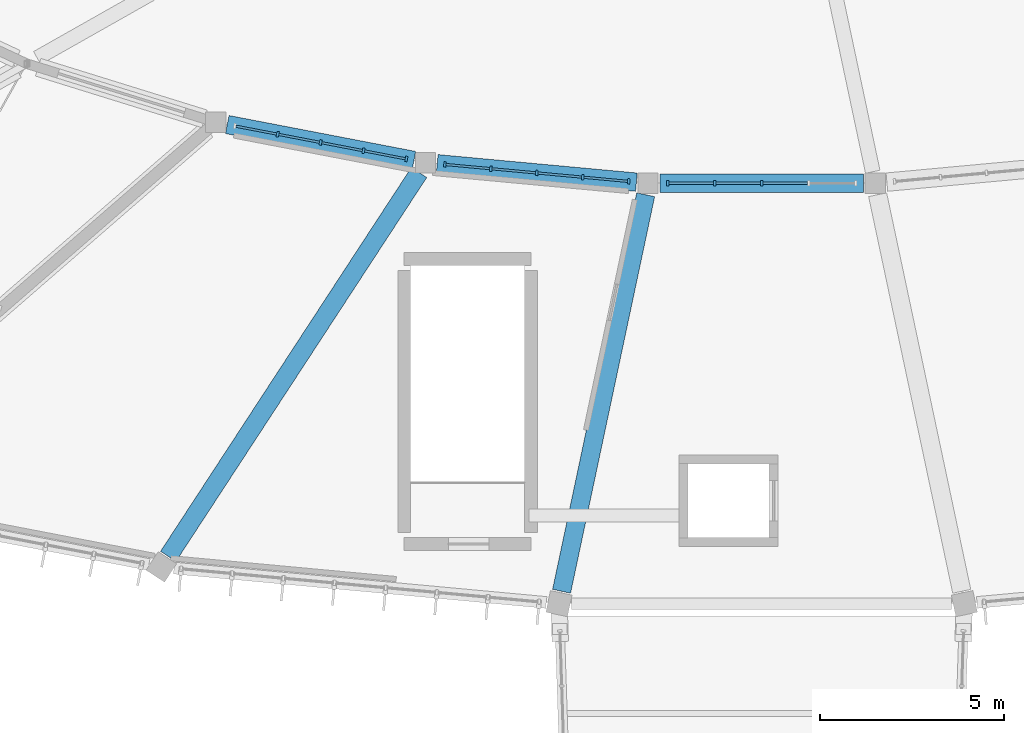
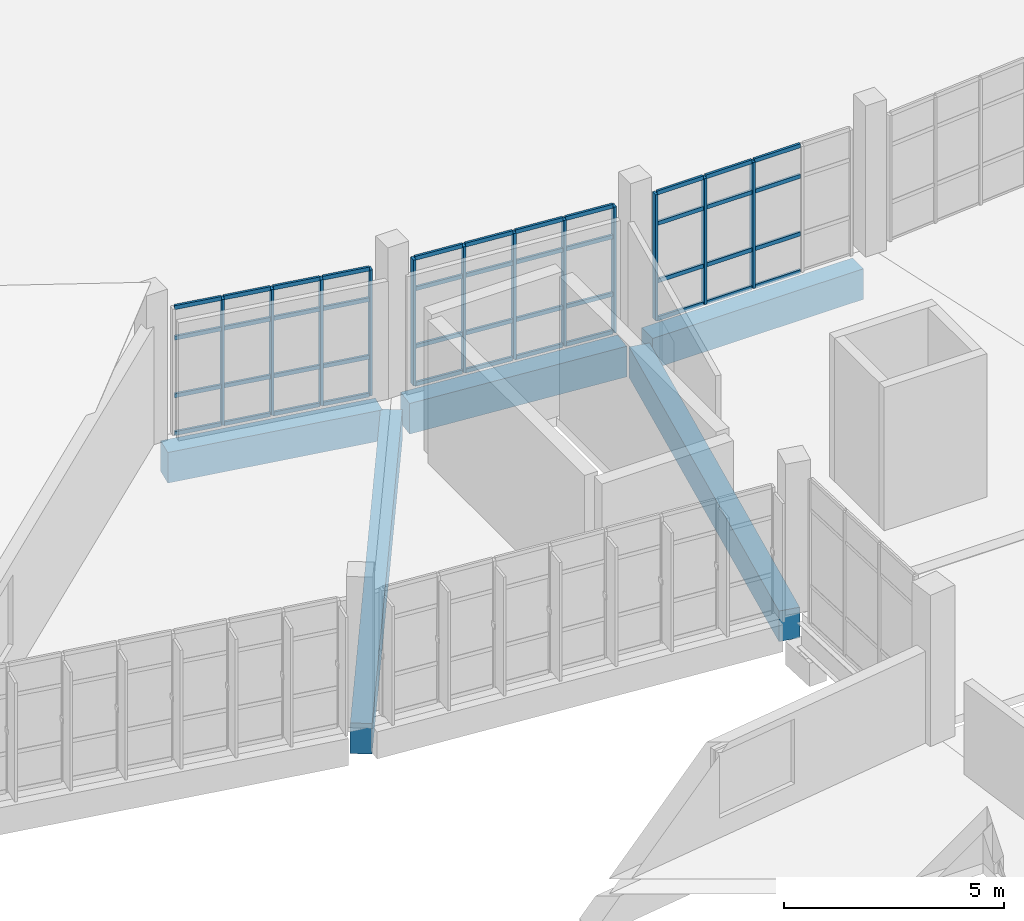
# One storey, part 39 of 142: 56 members, 5 beams, 3 elements without a shape of their own.
"""IFC4 building model written with IfcOpenShell, lengths in metres."""

from ifc_helpers import new_model, si_unit, direction, frame, origin, origin_2d, place, context, subcontext, project, spatial, rectangle, extrude, material, layer, layer_set, material_profile, profile_set, type_object, element, aggregate, save


model = new_model("IFC4")

# Units and contexts
model_context = context("Model", 3, precision=1e-05, world=origin(), true_north=direction((0.0, 1.0)))
body_context = subcontext(model_context, "Body", "Model", "MODEL_VIEW")
ifc_project = project(units=[si_unit("LENGTHUNIT", "METRE"), si_unit("AREAUNIT", "SQUARE_METRE"), si_unit("VOLUMEUNIT", "CUBIC_METRE"), si_unit("PLANEANGLEUNIT", "RADIAN"), si_unit("MASSUNIT", "GRAM", prefix="KILO")], contexts=[model_context])

# Site, building, storey
site_placement = place(None, origin())
site = spatial("IfcSite", under=ifc_project, at=site_placement, CompositionType="ELEMENT")
building_placement = place(site_placement, origin())
building = spatial("IfcBuilding", under=site, at=building_placement, Name="Corvandel Quay Wholesale Market", CompositionType="ELEMENT")
storey_placement = place(building_placement, frame((0.0, 0.0, 10.800048828125)))
storey = spatial("IfcBuildingStorey", under=building, at=storey_placement, Name="L02", CompositionType="ELEMENT", Elevation=10.800048828125)

# Curtain wall, members
ifc_material_1 = material(Name="Bronze anodised aluminium and low-E insulated glazing", Category="aluminium")
ifc_layer_1 = layer(ifc_material_1, 0.174072265625)
ifc_layer_set_1 = layer_set([ifc_layer_1], Name="Bronze anodised aluminium and low-E insulated glazing")
curtain_wall_type_1 = type_object("IfcCurtainWallType", Name="Stick Curtain Wall System CW07 H3630", PredefinedType="NOTDEFINED", material=ifc_layer_set_1)
curtain_wall_1_placement = place(storey_placement, origin())
curtain_wall_1 = element("IfcCurtainWall", 1, at=curtain_wall_1_placement, inside=storey, type_object=curtain_wall_type_1, Name="Curtain Wall CW-0111", PredefinedType="NOTDEFINED")
ifc_material_2 = material(Name="Anodised aluminium 6063-T6", Category="aluminium")
ifc_material_profile_1 = material_profile(ifc_material_2, rectangle(XDim=0.06494140625, YDim=0.14990234375, at=origin_2d()), Name="ALU-MUL-65x150")
ifc_profile_set_1 = profile_set([ifc_material_profile_1], Name="Anodised aluminium 6063-T6")
member_type_1 = type_object("IfcMemberType", Name="Curtain Wall Mullion ML02 65x150", PredefinedType="MULLION", material=ifc_profile_set_1)
member_1_placement = place(storey_placement, frame((100.832275390625, 102.772705078125, 0.0), z_axis=(0.0, 0.0, 1.0), x_axis=(-0.982024659632, 0.188752663223, 0.0)))
member_1 = element("IfcMember", 2, at=member_1_placement, type_object=member_type_1, Name="Mullion CW-0111-M01", PredefinedType="MULLION", context=body_context, shape_type="SweptSolid", body=[
    extrude(rectangle(XDim=0.06494140625, YDim=0.14990234375, at=origin_2d()), origin(), (0.0, 0.0, 1.0), 3.5),
])
member_2_placement = place(storey_placement, frame((101.9990234375, 102.548583984375, 0.0), z_axis=(0.0, 0.0, 1.0), x_axis=(-0.982024659632, 0.188752663223, 0.0)))
member_2 = element("IfcMember", 3, at=member_2_placement, type_object=member_type_1, Name="Mullion CW-0111-M02", PredefinedType="MULLION", context=body_context, shape_type="SweptSolid", body=[
    extrude(rectangle(XDim=0.06494140625, YDim=0.14990234375, at=origin_2d()), origin(), (0.0, 0.0, 1.0), 3.5),
])
member_3_placement = place(storey_placement, frame((103.165771484375, 102.32421875, 0.0), z_axis=(0.0, 0.0, 1.0), x_axis=(-0.982024659632, 0.188752663223, 0.0)))
member_3 = element("IfcMember", 4, at=member_3_placement, type_object=member_type_1, Name="Mullion CW-0111-M03", PredefinedType="MULLION", context=body_context, shape_type="SweptSolid", body=[
    extrude(rectangle(XDim=0.06494140625, YDim=0.14990234375, at=origin_2d()), origin(), (0.0, 0.0, 1.0), 3.5),
])
member_4_placement = place(storey_placement, frame((104.33251953125, 102.10009765625, 0.0), z_axis=(0.0, 0.0, 1.0), x_axis=(-0.982024659632, 0.188752663223, 0.0)))
member_4 = element("IfcMember", 5, at=member_4_placement, type_object=member_type_1, Name="Mullion CW-0111-M04", PredefinedType="MULLION", context=body_context, shape_type="SweptSolid", body=[
    extrude(rectangle(XDim=0.06494140625, YDim=0.14990234375, at=origin_2d()), origin(), (0.0, 0.0, 1.0), 3.5),
])

ifc_layer_2 = layer(ifc_material_1, 0.18603515625)
ifc_layer_set_2 = layer_set([ifc_layer_2], Name="Bronze anodised aluminium and low-E insulated glazing")
curtain_wall_type_2 = type_object("IfcCurtainWallType", Name="Stick Curtain Wall System CW08 H3720", PredefinedType="NOTDEFINED", material=ifc_layer_set_2)
curtain_wall_2_placement = place(storey_placement, origin())
curtain_wall_2 = element("IfcCurtainWall", 6, at=curtain_wall_2_placement, inside=storey, type_object=curtain_wall_type_2, Name="Curtain Wall CW-0114", PredefinedType="NOTDEFINED")
member_5_placement = place(storey_placement, frame((105.380615234375, 101.951171875, 0.0), z_axis=(0.0, 0.0, 1.0), x_axis=(-0.995756880939, 0.092023008338, 0.0)))
member_5 = element("IfcMember", 7, at=member_5_placement, type_object=member_type_1, Name="Mullion CW-0114-M00", PredefinedType="MULLION", context=body_context, shape_type="SweptSolid", body=[
    extrude(rectangle(XDim=0.06494140625, YDim=0.14990234375, at=origin_2d()), origin(), (0.0, 0.0, 1.0), 3.5),
])
member_6_placement = place(storey_placement, frame((106.63134765625, 101.835693359375, 0.0), z_axis=(0.0, 0.0, 1.0), x_axis=(-0.995756880939, 0.092023008338, 0.0)))
member_6 = element("IfcMember", 8, at=member_6_placement, type_object=member_type_1, Name="Mullion CW-0114-M01", PredefinedType="MULLION", context=body_context, shape_type="SweptSolid", body=[
    extrude(rectangle(XDim=0.06494140625, YDim=0.14990234375, at=origin_2d()), origin(), (0.0, 0.0, 1.0), 3.5),
])
member_7_placement = place(storey_placement, frame((107.882080078125, 101.719970703125, 0.0), z_axis=(0.0, 0.0, 1.0), x_axis=(-0.995756880939, 0.092023008338, 0.0)))
member_7 = element("IfcMember", 9, at=member_7_placement, type_object=member_type_1, Name="Mullion CW-0114-M02", PredefinedType="MULLION", context=body_context, shape_type="SweptSolid", body=[
    extrude(rectangle(XDim=0.06494140625, YDim=0.14990234375, at=origin_2d()), origin(), (0.0, 0.0, 1.0), 3.5),
])
member_8_placement = place(storey_placement, frame((109.1328125, 101.6044921875, 0.0), z_axis=(0.0, 0.0, 1.0), x_axis=(-0.995756880939, 0.092023008338, 0.0)))
member_8 = element("IfcMember", 10, at=member_8_placement, type_object=member_type_1, Name="Mullion CW-0114-M03", PredefinedType="MULLION", context=body_context, shape_type="SweptSolid", body=[
    extrude(rectangle(XDim=0.06494140625, YDim=0.14990234375, at=origin_2d()), origin(), (0.0, 0.0, 1.0), 3.5),
])
member_9_placement = place(storey_placement, frame((110.38330078125, 101.48876953125, 0.0), z_axis=(0.0, 0.0, 1.0), x_axis=(-0.995756880939, 0.092023008338, 0.0)))
member_9 = element("IfcMember", 11, at=member_9_placement, type_object=member_type_1, Name="Mullion CW-0114-M04", PredefinedType="MULLION", context=body_context, shape_type="SweptSolid", body=[
    extrude(rectangle(XDim=0.06494140625, YDim=0.14990234375, at=origin_2d()), origin(), (0.0, 0.0, 1.0), 3.5),
])

ifc_layer_3 = layer(ifc_material_1, 0.197998046875)
ifc_layer_set_3 = layer_set([ifc_layer_3], Name="Bronze anodised aluminium and low-E insulated glazing")
curtain_wall_type_3 = type_object("IfcCurtainWallType", Name="Stick Curtain Wall System CW09 H3810", PredefinedType="NOTDEFINED", material=ifc_layer_set_3)
curtain_wall_3_placement = place(storey_placement, origin())
curtain_wall_3 = element("IfcCurtainWall", 12, at=curtain_wall_3_placement, inside=storey, type_object=curtain_wall_type_3, Name="Curtain Wall CW-0115", PredefinedType="NOTDEFINED")
member_10_placement = place(storey_placement, frame((111.44091796875, 101.43994140625, 0.0), z_axis=(0.0, 0.0, 1.0), x_axis=(1.0, 0.0, 0.0)))
member_10 = element("IfcMember", 13, at=member_10_placement, type_object=member_type_1, Name="Mullion CW-0115-M00", PredefinedType="MULLION", context=body_context, shape_type="SweptSolid", body=[
    extrude(rectangle(XDim=0.06494140625, YDim=0.14990234375, at=origin_2d()), origin(), (0.0, 0.0, 1.0), 3.5),
])
member_11_placement = place(storey_placement, frame((112.720458984375, 101.43994140625, 0.0), z_axis=(0.0, 0.0, 1.0), x_axis=(1.0, 0.0, 0.0)))
member_11 = element("IfcMember", 14, at=member_11_placement, type_object=member_type_1, Name="Mullion CW-0115-M01", PredefinedType="MULLION", context=body_context, shape_type="SweptSolid", body=[
    extrude(rectangle(XDim=0.06494140625, YDim=0.14990234375, at=origin_2d()), origin(), (0.0, 0.0, 1.0), 3.5),
])
member_12_placement = place(storey_placement, frame((114.0, 101.43994140625, 0.0), z_axis=(0.0, 0.0, 1.0), x_axis=(1.0, 0.0, 0.0)))
member_12 = element("IfcMember", 15, at=member_12_placement, type_object=member_type_1, Name="Mullion CW-0115-M02", PredefinedType="MULLION", context=body_context, shape_type="SweptSolid", body=[
    extrude(rectangle(XDim=0.06494140625, YDim=0.14990234375, at=origin_2d()), origin(), (0.0, 0.0, 1.0), 3.5),
])

# Member
ifc_material_profile_2 = material_profile(ifc_material_2, rectangle(XDim=0.06005859375, YDim=0.110107421875, at=origin_2d()), Name="ALU-TRN-60x110")
ifc_profile_set_2 = profile_set([ifc_material_profile_2], Name="Anodised aluminium 6063-T6")
member_type_2 = type_object("IfcMemberType", Name="Curtain Wall Transom TR02 60x110", PredefinedType="USERDEFINED", material=ifc_profile_set_2)
member_13_placement = place(storey_placement, frame((99.697509765625, 102.99072265625, 0.0), z_axis=(0.982032799319, -0.188710309898, 0.0), x_axis=(0.188710309898, 0.982032799319, 0.0)))
member_13 = element("IfcMember", 16, at=member_13_placement, type_object=member_type_2, Name="Transom CW-0111-T00-0", ObjectType="TRANSOM", PredefinedType="USERDEFINED", context=body_context, shape_type="SweptSolid", body=[
    extrude(rectangle(XDim=0.06005859375, YDim=0.110107421875, at=origin_2d()), origin(), (0.0, 0.0, 1.0), 1.123046875),
])

member_14_placement = place(storey_placement, frame((99.697509765625, 102.99072265625, 1.050048828125), z_axis=(0.982032799319, -0.188710309898, 0.0), x_axis=(0.188710309898, 0.982032799319, 0.0)))
member_14 = element("IfcMember", 17, at=member_14_placement, type_object=member_type_2, Name="Transom CW-0111-T00-1", ObjectType="TRANSOM", PredefinedType="USERDEFINED", context=body_context, shape_type="SweptSolid", body=[
    extrude(rectangle(XDim=0.06005859375, YDim=0.110107421875, at=origin_2d()), origin(), (0.0, 0.0, 1.0), 1.123046875),
])

member_15_placement = place(storey_placement, frame((99.697509765625, 102.99072265625, 2.64990234375), z_axis=(0.982032799319, -0.188710309898, 0.0), x_axis=(0.188710309898, 0.982032799319, 0.0)))
member_15 = element("IfcMember", 18, at=member_15_placement, type_object=member_type_2, Name="Transom CW-0111-T00-2", ObjectType="TRANSOM", PredefinedType="USERDEFINED", context=body_context, shape_type="SweptSolid", body=[
    extrude(rectangle(XDim=0.06005859375, YDim=0.110107421875, at=origin_2d()), origin(), (0.0, 0.0, 1.0), 1.123046875),
])

member_16_placement = place(storey_placement, frame((99.697509765625, 102.99072265625, 3.5), z_axis=(0.982032799319, -0.188710309898, 0.0), x_axis=(0.188710309898, 0.982032799319, 0.0)))
member_16 = element("IfcMember", 19, at=member_16_placement, type_object=member_type_2, Name="Transom CW-0111-T00-3", ObjectType="TRANSOM", PredefinedType="USERDEFINED", context=body_context, shape_type="SweptSolid", body=[
    extrude(rectangle(XDim=0.06005859375, YDim=0.110107421875, at=origin_2d()), origin(), (0.0, 0.0, 1.0), 1.123046875),
])

member_17_placement = place(storey_placement, frame((100.8642578125, 102.7666015625, 0.0), z_axis=(0.982032799319, -0.188710309898, 0.0), x_axis=(0.188710309898, 0.982032799319, 0.0)))
member_17 = element("IfcMember", 20, at=member_17_placement, type_object=member_type_2, Name="Transom CW-0111-T01-0", ObjectType="TRANSOM", PredefinedType="USERDEFINED", context=body_context, shape_type="SweptSolid", body=[
    extrude(rectangle(XDim=0.06005859375, YDim=0.110107421875, at=origin_2d()), origin(), (0.0, 0.0, 1.0), 1.123046875),
])

member_18_placement = place(storey_placement, frame((100.8642578125, 102.7666015625, 1.050048828125), z_axis=(0.982032799319, -0.188710309898, 0.0), x_axis=(0.188710309898, 0.982032799319, 0.0)))
member_18 = element("IfcMember", 21, at=member_18_placement, type_object=member_type_2, Name="Transom CW-0111-T01-1", ObjectType="TRANSOM", PredefinedType="USERDEFINED", context=body_context, shape_type="SweptSolid", body=[
    extrude(rectangle(XDim=0.06005859375, YDim=0.110107421875, at=origin_2d()), origin(), (0.0, 0.0, 1.0), 1.123046875),
])

member_19_placement = place(storey_placement, frame((100.8642578125, 102.7666015625, 2.64990234375), z_axis=(0.982032799319, -0.188710309898, 0.0), x_axis=(0.188710309898, 0.982032799319, 0.0)))
member_19 = element("IfcMember", 22, at=member_19_placement, type_object=member_type_2, Name="Transom CW-0111-T01-2", ObjectType="TRANSOM", PredefinedType="USERDEFINED", context=body_context, shape_type="SweptSolid", body=[
    extrude(rectangle(XDim=0.06005859375, YDim=0.110107421875, at=origin_2d()), origin(), (0.0, 0.0, 1.0), 1.123046875),
])

member_20_placement = place(storey_placement, frame((100.8642578125, 102.7666015625, 3.5), z_axis=(0.982032799319, -0.188710309898, 0.0), x_axis=(0.188710309898, 0.982032799319, 0.0)))
member_20 = element("IfcMember", 23, at=member_20_placement, type_object=member_type_2, Name="Transom CW-0111-T01-3", ObjectType="TRANSOM", PredefinedType="USERDEFINED", context=body_context, shape_type="SweptSolid", body=[
    extrude(rectangle(XDim=0.06005859375, YDim=0.110107421875, at=origin_2d()), origin(), (0.0, 0.0, 1.0), 1.123046875),
])

member_21_placement = place(storey_placement, frame((102.031005859375, 102.54248046875, 0.0), z_axis=(0.981992488569, -0.188919962933, 0.0), x_axis=(0.188919962933, 0.981992488569, 0.0)))
member_21 = element("IfcMember", 24, at=member_21_placement, type_object=member_type_2, Name="Transom CW-0111-T02-0", ObjectType="TRANSOM", PredefinedType="USERDEFINED", context=body_context, shape_type="SweptSolid", body=[
    extrude(rectangle(XDim=0.06005859375, YDim=0.110107421875, at=origin_2d()), origin(), (0.0, 0.0, 1.0), 1.123046875),
])

member_22_placement = place(storey_placement, frame((102.031005859375, 102.54248046875, 1.050048828125), z_axis=(0.981992488569, -0.188919962933, 0.0), x_axis=(0.188919962933, 0.981992488569, 0.0)))
member_22 = element("IfcMember", 25, at=member_22_placement, type_object=member_type_2, Name="Transom CW-0111-T02-1", ObjectType="TRANSOM", PredefinedType="USERDEFINED", context=body_context, shape_type="SweptSolid", body=[
    extrude(rectangle(XDim=0.06005859375, YDim=0.110107421875, at=origin_2d()), origin(), (0.0, 0.0, 1.0), 1.123046875),
])

member_23_placement = place(storey_placement, frame((102.031005859375, 102.54248046875, 2.64990234375), z_axis=(0.981992488569, -0.188919962933, 0.0), x_axis=(0.188919962933, 0.981992488569, 0.0)))
member_23 = element("IfcMember", 26, at=member_23_placement, type_object=member_type_2, Name="Transom CW-0111-T02-2", ObjectType="TRANSOM", PredefinedType="USERDEFINED", context=body_context, shape_type="SweptSolid", body=[
    extrude(rectangle(XDim=0.06005859375, YDim=0.110107421875, at=origin_2d()), origin(), (0.0, 0.0, 1.0), 1.123046875),
])

member_24_placement = place(storey_placement, frame((102.031005859375, 102.54248046875, 3.5), z_axis=(0.981992488569, -0.188919962933, 0.0), x_axis=(0.188919962933, 0.981992488569, 0.0)))
member_24 = element("IfcMember", 27, at=member_24_placement, type_object=member_type_2, Name="Transom CW-0111-T02-3", ObjectType="TRANSOM", PredefinedType="USERDEFINED", context=body_context, shape_type="SweptSolid", body=[
    extrude(rectangle(XDim=0.06005859375, YDim=0.110107421875, at=origin_2d()), origin(), (0.0, 0.0, 1.0), 1.123046875),
])

member_25_placement = place(storey_placement, frame((103.19775390625, 102.318115234375, 0.0), z_axis=(0.982032799319, -0.188710309898, 0.0), x_axis=(0.188710309898, 0.982032799319, 0.0)))
member_25 = element("IfcMember", 28, at=member_25_placement, type_object=member_type_2, Name="Transom CW-0111-T03-0", ObjectType="TRANSOM", PredefinedType="USERDEFINED", context=body_context, shape_type="SweptSolid", body=[
    extrude(rectangle(XDim=0.06005859375, YDim=0.110107421875, at=origin_2d()), origin(), (0.0, 0.0, 1.0), 1.123046875),
])

member_26_placement = place(storey_placement, frame((103.19775390625, 102.318115234375, 1.050048828125), z_axis=(0.982032799319, -0.188710309898, 0.0), x_axis=(0.188710309898, 0.982032799319, 0.0)))
member_26 = element("IfcMember", 29, at=member_26_placement, type_object=member_type_2, Name="Transom CW-0111-T03-1", ObjectType="TRANSOM", PredefinedType="USERDEFINED", context=body_context, shape_type="SweptSolid", body=[
    extrude(rectangle(XDim=0.06005859375, YDim=0.110107421875, at=origin_2d()), origin(), (0.0, 0.0, 1.0), 1.123046875),
])

member_27_placement = place(storey_placement, frame((103.19775390625, 102.318115234375, 2.64990234375), z_axis=(0.982032799319, -0.188710309898, 0.0), x_axis=(0.188710309898, 0.982032799319, 0.0)))
member_27 = element("IfcMember", 30, at=member_27_placement, type_object=member_type_2, Name="Transom CW-0111-T03-2", ObjectType="TRANSOM", PredefinedType="USERDEFINED", context=body_context, shape_type="SweptSolid", body=[
    extrude(rectangle(XDim=0.06005859375, YDim=0.110107421875, at=origin_2d()), origin(), (0.0, 0.0, 1.0), 1.123046875),
])

member_28_placement = place(storey_placement, frame((103.19775390625, 102.318115234375, 3.5), z_axis=(0.982032799319, -0.188710309898, 0.0), x_axis=(0.188710309898, 0.982032799319, 0.0)))
member_28 = element("IfcMember", 31, at=member_28_placement, type_object=member_type_2, Name="Transom CW-0111-T03-3", ObjectType="TRANSOM", PredefinedType="USERDEFINED", context=body_context, shape_type="SweptSolid", body=[
    extrude(rectangle(XDim=0.06005859375, YDim=0.110107421875, at=origin_2d()), origin(), (0.0, 0.0, 1.0), 1.123046875),
])

aggregate(curtain_wall_1, [member_1, member_2, member_3, member_4, member_13, member_14, member_15, member_16, member_17, member_18, member_19, member_20, member_21, member_22, member_23, member_24, member_25, member_26, member_27, member_28])

member_29_placement = place(storey_placement, frame((105.4130859375, 101.9482421875, 0.0), z_axis=(0.995755993143, -0.092032614434, 0.0), x_axis=(0.092032614434, 0.995755993143, 0.0)))
member_29 = element("IfcMember", 32, at=member_29_placement, type_object=member_type_2, Name="Transom CW-0114-T00-0", ObjectType="TRANSOM", PredefinedType="USERDEFINED", context=body_context, shape_type="SweptSolid", body=[
    extrude(rectangle(XDim=0.06005859375, YDim=0.110107421875, at=origin_2d()), origin(), (0.0, 0.0, 1.0), 1.191162109375),
])

member_30_placement = place(storey_placement, frame((105.4130859375, 101.9482421875, 1.050048828125), z_axis=(0.995755993143, -0.092032614434, 0.0), x_axis=(0.092032614434, 0.995755993143, 0.0)))
member_30 = element("IfcMember", 33, at=member_30_placement, type_object=member_type_2, Name="Transom CW-0114-T00-1", ObjectType="TRANSOM", PredefinedType="USERDEFINED", context=body_context, shape_type="SweptSolid", body=[
    extrude(rectangle(XDim=0.06005859375, YDim=0.110107421875, at=origin_2d()), origin(), (0.0, 0.0, 1.0), 1.191162109375),
])

member_31_placement = place(storey_placement, frame((105.4130859375, 101.9482421875, 2.64990234375), z_axis=(0.995755993143, -0.092032614434, 0.0), x_axis=(0.092032614434, 0.995755993143, 0.0)))
member_31 = element("IfcMember", 34, at=member_31_placement, type_object=member_type_2, Name="Transom CW-0114-T00-2", ObjectType="TRANSOM", PredefinedType="USERDEFINED", context=body_context, shape_type="SweptSolid", body=[
    extrude(rectangle(XDim=0.06005859375, YDim=0.110107421875, at=origin_2d()), origin(), (0.0, 0.0, 1.0), 1.191162109375),
])

member_32_placement = place(storey_placement, frame((105.4130859375, 101.9482421875, 3.5), z_axis=(0.995755993143, -0.092032614434, 0.0), x_axis=(0.092032614434, 0.995755993143, 0.0)))
member_32 = element("IfcMember", 35, at=member_32_placement, type_object=member_type_2, Name="Transom CW-0114-T00-3", ObjectType="TRANSOM", PredefinedType="USERDEFINED", context=body_context, shape_type="SweptSolid", body=[
    extrude(rectangle(XDim=0.06005859375, YDim=0.110107421875, at=origin_2d()), origin(), (0.0, 0.0, 1.0), 1.191162109375),
])

member_33_placement = place(storey_placement, frame((106.663818359375, 101.83251953125, 0.0), z_axis=(0.995754256495, -0.09205140234, 0.0), x_axis=(0.09205140234, 0.995754256495, 0.0)))
member_33 = element("IfcMember", 36, at=member_33_placement, type_object=member_type_2, Name="Transom CW-0114-T01-0", ObjectType="TRANSOM", PredefinedType="USERDEFINED", context=body_context, shape_type="SweptSolid", body=[
    extrude(rectangle(XDim=0.06005859375, YDim=0.110107421875, at=origin_2d()), origin(), (0.0, 0.0, 1.0), 1.19091796875),
])

member_34_placement = place(storey_placement, frame((106.663818359375, 101.83251953125, 1.050048828125), z_axis=(0.995754256495, -0.09205140234, 0.0), x_axis=(0.09205140234, 0.995754256495, 0.0)))
member_34 = element("IfcMember", 37, at=member_34_placement, type_object=member_type_2, Name="Transom CW-0114-T01-1", ObjectType="TRANSOM", PredefinedType="USERDEFINED", context=body_context, shape_type="SweptSolid", body=[
    extrude(rectangle(XDim=0.06005859375, YDim=0.110107421875, at=origin_2d()), origin(), (0.0, 0.0, 1.0), 1.19091796875),
])

member_35_placement = place(storey_placement, frame((106.663818359375, 101.83251953125, 2.64990234375), z_axis=(0.995754256495, -0.09205140234, 0.0), x_axis=(0.09205140234, 0.995754256495, 0.0)))
member_35 = element("IfcMember", 38, at=member_35_placement, type_object=member_type_2, Name="Transom CW-0114-T01-2", ObjectType="TRANSOM", PredefinedType="USERDEFINED", context=body_context, shape_type="SweptSolid", body=[
    extrude(rectangle(XDim=0.06005859375, YDim=0.110107421875, at=origin_2d()), origin(), (0.0, 0.0, 1.0), 1.19091796875),
])

member_36_placement = place(storey_placement, frame((106.663818359375, 101.83251953125, 3.5), z_axis=(0.995754256495, -0.09205140234, 0.0), x_axis=(0.09205140234, 0.995754256495, 0.0)))
member_36 = element("IfcMember", 39, at=member_36_placement, type_object=member_type_2, Name="Transom CW-0114-T01-3", ObjectType="TRANSOM", PredefinedType="USERDEFINED", context=body_context, shape_type="SweptSolid", body=[
    extrude(rectangle(XDim=0.06005859375, YDim=0.110107421875, at=origin_2d()), origin(), (0.0, 0.0, 1.0), 1.19091796875),
])

member_37_placement = place(storey_placement, frame((107.914306640625, 101.717041015625, 0.0), z_axis=(0.995755993143, -0.092032614434, 0.0), x_axis=(0.092032614434, 0.995755993143, 0.0)))
member_37 = element("IfcMember", 40, at=member_37_placement, type_object=member_type_2, Name="Transom CW-0114-T02-0", ObjectType="TRANSOM", PredefinedType="USERDEFINED", context=body_context, shape_type="SweptSolid", body=[
    extrude(rectangle(XDim=0.06005859375, YDim=0.110107421875, at=origin_2d()), origin(), (0.0, 0.0, 1.0), 1.191162109375),
])

member_38_placement = place(storey_placement, frame((107.914306640625, 101.717041015625, 1.050048828125), z_axis=(0.995755993143, -0.092032614434, 0.0), x_axis=(0.092032614434, 0.995755993143, 0.0)))
member_38 = element("IfcMember", 41, at=member_38_placement, type_object=member_type_2, Name="Transom CW-0114-T02-1", ObjectType="TRANSOM", PredefinedType="USERDEFINED", context=body_context, shape_type="SweptSolid", body=[
    extrude(rectangle(XDim=0.06005859375, YDim=0.110107421875, at=origin_2d()), origin(), (0.0, 0.0, 1.0), 1.191162109375),
])

member_39_placement = place(storey_placement, frame((107.914306640625, 101.717041015625, 2.64990234375), z_axis=(0.995755993143, -0.092032614434, 0.0), x_axis=(0.092032614434, 0.995755993143, 0.0)))
member_39 = element("IfcMember", 42, at=member_39_placement, type_object=member_type_2, Name="Transom CW-0114-T02-2", ObjectType="TRANSOM", PredefinedType="USERDEFINED", context=body_context, shape_type="SweptSolid", body=[
    extrude(rectangle(XDim=0.06005859375, YDim=0.110107421875, at=origin_2d()), origin(), (0.0, 0.0, 1.0), 1.191162109375),
])

member_40_placement = place(storey_placement, frame((107.914306640625, 101.717041015625, 3.5), z_axis=(0.995755993143, -0.092032614434, 0.0), x_axis=(0.092032614434, 0.995755993143, 0.0)))
member_40 = element("IfcMember", 43, at=member_40_placement, type_object=member_type_2, Name="Transom CW-0114-T02-3", ObjectType="TRANSOM", PredefinedType="USERDEFINED", context=body_context, shape_type="SweptSolid", body=[
    extrude(rectangle(XDim=0.06005859375, YDim=0.110107421875, at=origin_2d()), origin(), (0.0, 0.0, 1.0), 1.191162109375),
])

member_41_placement = place(storey_placement, frame((109.1650390625, 101.601318359375, 0.0), z_axis=(0.995754256495, -0.09205140234, 0.0), x_axis=(0.09205140234, 0.995754256495, 0.0)))
member_41 = element("IfcMember", 44, at=member_41_placement, type_object=member_type_2, Name="Transom CW-0114-T03-0", ObjectType="TRANSOM", PredefinedType="USERDEFINED", context=body_context, shape_type="SweptSolid", body=[
    extrude(rectangle(XDim=0.06005859375, YDim=0.110107421875, at=origin_2d()), origin(), (0.0, 0.0, 1.0), 1.19091796875),
])

member_42_placement = place(storey_placement, frame((109.1650390625, 101.601318359375, 1.050048828125), z_axis=(0.995754256495, -0.09205140234, 0.0), x_axis=(0.09205140234, 0.995754256495, 0.0)))
member_42 = element("IfcMember", 45, at=member_42_placement, type_object=member_type_2, Name="Transom CW-0114-T03-1", ObjectType="TRANSOM", PredefinedType="USERDEFINED", context=body_context, shape_type="SweptSolid", body=[
    extrude(rectangle(XDim=0.06005859375, YDim=0.110107421875, at=origin_2d()), origin(), (0.0, 0.0, 1.0), 1.19091796875),
])

member_43_placement = place(storey_placement, frame((109.1650390625, 101.601318359375, 2.64990234375), z_axis=(0.995754256495, -0.09205140234, 0.0), x_axis=(0.09205140234, 0.995754256495, 0.0)))
member_43 = element("IfcMember", 46, at=member_43_placement, type_object=member_type_2, Name="Transom CW-0114-T03-2", ObjectType="TRANSOM", PredefinedType="USERDEFINED", context=body_context, shape_type="SweptSolid", body=[
    extrude(rectangle(XDim=0.06005859375, YDim=0.110107421875, at=origin_2d()), origin(), (0.0, 0.0, 1.0), 1.19091796875),
])

member_44_placement = place(storey_placement, frame((109.1650390625, 101.601318359375, 3.5), z_axis=(0.995754256495, -0.09205140234, 0.0), x_axis=(0.09205140234, 0.995754256495, 0.0)))
member_44 = element("IfcMember", 47, at=member_44_placement, type_object=member_type_2, Name="Transom CW-0114-T03-3", ObjectType="TRANSOM", PredefinedType="USERDEFINED", context=body_context, shape_type="SweptSolid", body=[
    extrude(rectangle(XDim=0.06005859375, YDim=0.110107421875, at=origin_2d()), origin(), (0.0, 0.0, 1.0), 1.19091796875),
])

aggregate(curtain_wall_2, [member_5, member_6, member_7, member_8, member_9, member_29, member_30, member_31, member_32, member_33, member_34, member_35, member_36, member_37, member_38, member_39, member_40, member_41, member_42, member_43, member_44])

member_45_placement = place(storey_placement, frame((111.473388671875, 101.43994140625, 0.0), z_axis=(1.0, 0.0, 0.0), x_axis=(0.0, 1.0, 0.0)))
member_45 = element("IfcMember", 48, at=member_45_placement, type_object=member_type_2, Name="Transom CW-0115-T00-0", ObjectType="TRANSOM", PredefinedType="USERDEFINED", context=body_context, shape_type="SweptSolid", body=[
    extrude(rectangle(XDim=0.06005859375, YDim=0.110107421875, at=origin_2d()), origin(), (0.0, 0.0, 1.0), 1.214599609375),
])

member_46_placement = place(storey_placement, frame((111.473388671875, 101.43994140625, 1.050048828125), z_axis=(1.0, 0.0, 0.0), x_axis=(0.0, 1.0, 0.0)))
member_46 = element("IfcMember", 49, at=member_46_placement, type_object=member_type_2, Name="Transom CW-0115-T00-1", ObjectType="TRANSOM", PredefinedType="USERDEFINED", context=body_context, shape_type="SweptSolid", body=[
    extrude(rectangle(XDim=0.06005859375, YDim=0.110107421875, at=origin_2d()), origin(), (0.0, 0.0, 1.0), 1.214599609375),
])

member_47_placement = place(storey_placement, frame((111.473388671875, 101.43994140625, 2.64990234375), z_axis=(1.0, 0.0, 0.0), x_axis=(0.0, 1.0, 0.0)))
member_47 = element("IfcMember", 50, at=member_47_placement, type_object=member_type_2, Name="Transom CW-0115-T00-2", ObjectType="TRANSOM", PredefinedType="USERDEFINED", context=body_context, shape_type="SweptSolid", body=[
    extrude(rectangle(XDim=0.06005859375, YDim=0.110107421875, at=origin_2d()), origin(), (0.0, 0.0, 1.0), 1.214599609375),
])

member_48_placement = place(storey_placement, frame((111.473388671875, 101.43994140625, 3.5), z_axis=(1.0, 0.0, 0.0), x_axis=(0.0, 1.0, 0.0)))
member_48 = element("IfcMember", 51, at=member_48_placement, type_object=member_type_2, Name="Transom CW-0115-T00-3", ObjectType="TRANSOM", PredefinedType="USERDEFINED", context=body_context, shape_type="SweptSolid", body=[
    extrude(rectangle(XDim=0.06005859375, YDim=0.110107421875, at=origin_2d()), origin(), (0.0, 0.0, 1.0), 1.214599609375),
])

member_49_placement = place(storey_placement, frame((112.7529296875, 101.43994140625, 0.0), z_axis=(1.0, 0.0, 0.0), x_axis=(0.0, 1.0, 0.0)))
member_49 = element("IfcMember", 52, at=member_49_placement, type_object=member_type_2, Name="Transom CW-0115-T01-0", ObjectType="TRANSOM", PredefinedType="USERDEFINED", context=body_context, shape_type="SweptSolid", body=[
    extrude(rectangle(XDim=0.06005859375, YDim=0.110107421875, at=origin_2d()), origin(), (0.0, 0.0, 1.0), 1.214599609375),
])

member_50_placement = place(storey_placement, frame((112.7529296875, 101.43994140625, 1.050048828125), z_axis=(1.0, 0.0, 0.0), x_axis=(0.0, 1.0, 0.0)))
member_50 = element("IfcMember", 53, at=member_50_placement, type_object=member_type_2, Name="Transom CW-0115-T01-1", ObjectType="TRANSOM", PredefinedType="USERDEFINED", context=body_context, shape_type="SweptSolid", body=[
    extrude(rectangle(XDim=0.06005859375, YDim=0.110107421875, at=origin_2d()), origin(), (0.0, 0.0, 1.0), 1.214599609375),
])

member_51_placement = place(storey_placement, frame((112.7529296875, 101.43994140625, 2.64990234375), z_axis=(1.0, 0.0, 0.0), x_axis=(0.0, 1.0, 0.0)))
member_51 = element("IfcMember", 54, at=member_51_placement, type_object=member_type_2, Name="Transom CW-0115-T01-2", ObjectType="TRANSOM", PredefinedType="USERDEFINED", context=body_context, shape_type="SweptSolid", body=[
    extrude(rectangle(XDim=0.06005859375, YDim=0.110107421875, at=origin_2d()), origin(), (0.0, 0.0, 1.0), 1.214599609375),
])

member_52_placement = place(storey_placement, frame((112.7529296875, 101.43994140625, 3.5), z_axis=(1.0, 0.0, 0.0), x_axis=(0.0, 1.0, 0.0)))
member_52 = element("IfcMember", 55, at=member_52_placement, type_object=member_type_2, Name="Transom CW-0115-T01-3", ObjectType="TRANSOM", PredefinedType="USERDEFINED", context=body_context, shape_type="SweptSolid", body=[
    extrude(rectangle(XDim=0.06005859375, YDim=0.110107421875, at=origin_2d()), origin(), (0.0, 0.0, 1.0), 1.214599609375),
])

member_53_placement = place(storey_placement, frame((114.032470703125, 101.43994140625, 0.0), z_axis=(1.0, 0.0, 0.0), x_axis=(0.0, 1.0, 0.0)))
member_53 = element("IfcMember", 56, at=member_53_placement, type_object=member_type_2, Name="Transom CW-0115-T02-0", ObjectType="TRANSOM", PredefinedType="USERDEFINED", context=body_context, shape_type="SweptSolid", body=[
    extrude(rectangle(XDim=0.06005859375, YDim=0.110107421875, at=origin_2d()), origin(), (0.0, 0.0, 1.0), 1.214599609375),
])

member_54_placement = place(storey_placement, frame((114.032470703125, 101.43994140625, 1.050048828125), z_axis=(1.0, 0.0, 0.0), x_axis=(0.0, 1.0, 0.0)))
member_54 = element("IfcMember", 57, at=member_54_placement, type_object=member_type_2, Name="Transom CW-0115-T02-1", ObjectType="TRANSOM", PredefinedType="USERDEFINED", context=body_context, shape_type="SweptSolid", body=[
    extrude(rectangle(XDim=0.06005859375, YDim=0.110107421875, at=origin_2d()), origin(), (0.0, 0.0, 1.0), 1.214599609375),
])

member_55_placement = place(storey_placement, frame((114.032470703125, 101.43994140625, 2.64990234375), z_axis=(1.0, 0.0, 0.0), x_axis=(0.0, 1.0, 0.0)))
member_55 = element("IfcMember", 58, at=member_55_placement, type_object=member_type_2, Name="Transom CW-0115-T02-2", ObjectType="TRANSOM", PredefinedType="USERDEFINED", context=body_context, shape_type="SweptSolid", body=[
    extrude(rectangle(XDim=0.06005859375, YDim=0.110107421875, at=origin_2d()), origin(), (0.0, 0.0, 1.0), 1.214599609375),
])

member_56_placement = place(storey_placement, frame((114.032470703125, 101.43994140625, 3.5), z_axis=(1.0, 0.0, 0.0), x_axis=(0.0, 1.0, 0.0)))
member_56 = element("IfcMember", 59, at=member_56_placement, type_object=member_type_2, Name="Transom CW-0115-T02-3", ObjectType="TRANSOM", PredefinedType="USERDEFINED", context=body_context, shape_type="SweptSolid", body=[
    extrude(rectangle(XDim=0.06005859375, YDim=0.110107421875, at=origin_2d()), origin(), (0.0, 0.0, 1.0), 1.214599609375),
])

aggregate(curtain_wall_3, [member_10, member_11, member_12, member_45, member_46, member_47, member_48, member_49, member_50, member_51, member_52, member_53, member_54, member_55, member_56])

# Beams
ifc_material_3 = material(Name="Precast concrete C45/55", Category="concrete")
ifc_material_profile_3 = material_profile(ifc_material_3, rectangle(XDim=0.5, YDim=0.85009765625, at=origin_2d()), Name="PC-GIR-500x850")
ifc_profile_set_3 = profile_set([ifc_material_profile_3], Name="Precast concrete C45/55")
beam_type = type_object("IfcBeamType", Name="Fish Hall Radial Girder G04 500x850", PredefinedType="USERDEFINED", material=ifc_profile_set_3)
beam_1_placement = place(storey_placement, frame((99.459228515625, 103.03662109375, -0.7451171875), z_axis=(0.982025294811, -0.188749358548, 0.0), x_axis=(0.188749358548, 0.982025294811, 0.0)))
element("IfcBeam", 60, at=beam_1_placement, inside=storey, type_object=beam_type, Name="Beam BM-0672", ObjectType="GIRDER", PredefinedType="USERDEFINED", context=body_context, shape_type="SweptSolid", body=[
    extrude(rectangle(XDim=0.5, YDim=0.85009765625, at=origin_2d()), origin(), (0.0, 0.0, 1.0), 5.172607421875),
])
beam_2_placement = place(storey_placement, frame((105.171630859375, 101.970458984375, -0.7451171875), z_axis=(0.995756442366, -0.092027753895, 0.0), x_axis=(0.092027753895, 0.995756442366, 0.0)))
element("IfcBeam", 61, at=beam_2_placement, inside=storey, type_object=beam_type, Name="Beam BM-0681", ObjectType="GIRDER", PredefinedType="USERDEFINED", context=body_context, shape_type="SweptSolid", body=[
    extrude(rectangle(XDim=0.5, YDim=0.85009765625, at=origin_2d()), origin(), (0.0, 0.0, 1.0), 5.44384765625),
])
beam_3_placement = place(storey_placement, frame((97.853759765625, 91.287841796875, -0.7451171875), z_axis=(0.546981498626, 0.837144694877, 0.0), x_axis=(-0.837144694877, 0.546981498626, 0.0)))
element("IfcBeam", 62, at=beam_3_placement, inside=storey, type_object=beam_type, Name="Beam BM-0682", ObjectType="GIRDER", PredefinedType="USERDEFINED", context=body_context, shape_type="SweptSolid", body=[
    extrude(rectangle(XDim=0.5, YDim=0.85009765625, at=origin_2d()), origin(), (0.0, 0.0, 1.0), 12.47607421875),
])
beam_4_placement = place(storey_placement, frame((111.23095703125, 101.43994140625, -0.7451171875), z_axis=(1.0, 0.0, 0.0), x_axis=(0.0, 1.0, 0.0)))
element("IfcBeam", 63, at=beam_4_placement, inside=storey, type_object=beam_type, Name="Beam BM-0690", ObjectType="GIRDER", PredefinedType="USERDEFINED", context=body_context, shape_type="SweptSolid", body=[
    extrude(rectangle(XDim=0.5, YDim=0.85009765625, at=origin_2d()), origin(), (0.0, 0.0, 1.0), 5.5380859375),
])
beam_5_placement = place(storey_placement, frame((108.5556640625, 90.33740234375, -0.7451171875), z_axis=(0.207515120209, 0.978231810403, 0.0), x_axis=(-0.978231810403, 0.207515120209, 0.0)))
element("IfcBeam", 64, at=beam_5_placement, inside=storey, type_object=beam_type, Name="Beam BM-0691", ObjectType="GIRDER", PredefinedType="USERDEFINED", context=body_context, shape_type="SweptSolid", body=[
    extrude(rectangle(XDim=0.5, YDim=0.85009765625, at=origin_2d()), origin(), (0.0, 0.0, 1.0), 11.029541015625),
])

save(model, "model.ifc")
